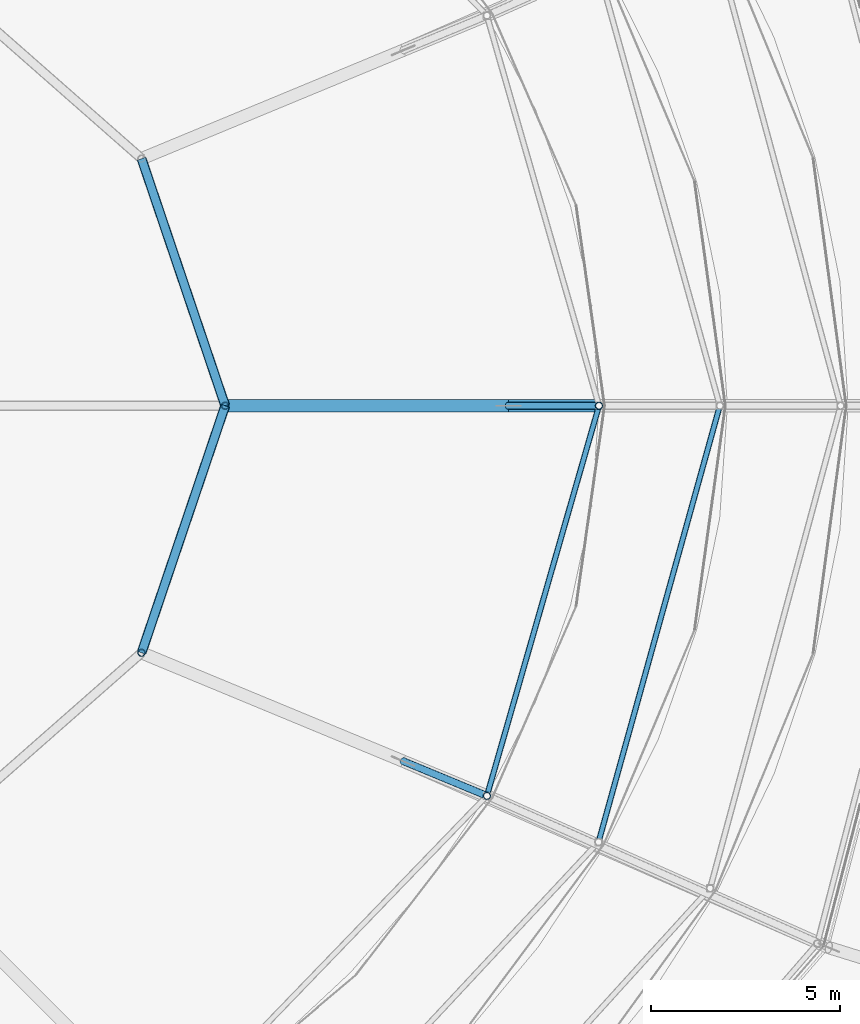
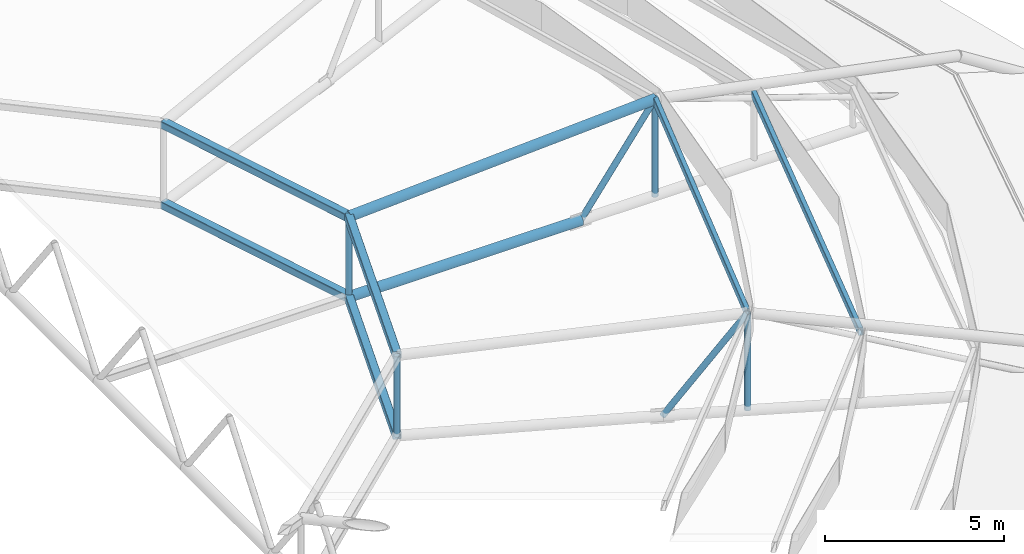
# One storey, part 35 of 134: 12 members, 2 beams.
"""IFC4 building model written with IfcOpenShell, lengths in metres."""

from ifc_helpers import new_model, si_unit, derived_unit, direction, frame, origin, origin_2d, place, context, subcontext, project, spatial, hollow_rectangle, hollow_circle, extrude, material, material_profile, profile_set, type_object, element, save


model = new_model("IFC4")

# Units and contexts
model_context = context("Model", 3, precision=1e-05, world=origin(), true_north=direction((0.0, 1.0)))
body_context = subcontext(model_context, "Body", "Model", "MODEL_VIEW")
ifc_project = project(units=[si_unit("LENGTHUNIT", "METRE"), si_unit("AREAUNIT", "SQUARE_METRE"), si_unit("VOLUMEUNIT", "CUBIC_METRE"), si_unit("PLANEANGLEUNIT", "RADIAN"), si_unit("MASSUNIT", "GRAM", prefix="KILO"), derived_unit("THERMALTRANSMITTANCEUNIT", [(si_unit("MASSUNIT", "GRAM", prefix="KILO"), 1), (si_unit("TIMEUNIT", "SECOND"), -3), (si_unit("THERMODYNAMICTEMPERATUREUNIT", "KELVIN"), -1)])], contexts=[model_context])

# Site, building, storey
site_placement = place(None, origin())
site = spatial("IfcSite", under=ifc_project, at=site_placement, CompositionType="ELEMENT")
building_placement = place(site_placement, origin())
building = spatial("IfcBuilding", under=site, at=building_placement, Name="Kharveza Railside Sports Centre", CompositionType="ELEMENT")
storey_placement = place(building_placement, frame((0.0, 0.0, 12.89990234375)))
storey = spatial("IfcBuildingStorey", under=building, at=storey_placement, Name="L03", CompositionType="ELEMENT", Elevation=12.89990234375)

# Beams
ifc_material = material(Name="Steel S355J2", Category="steel")
ifc_material_profile_1 = material_profile(ifc_material, hollow_rectangle(XDim=0.14990234375, YDim=0.25, WallThickness=0.010009765625, InnerFilletRadius=0.010009765625, OuterFilletRadius=0.02001953125, at=origin_2d()), Name="RHS 150x250x10.0")
ifc_profile_set_1 = profile_set([ifc_material_profile_1], Name="Steel S355J2")
beam_type = type_object("IfcBeamType", Name="BM-SP04", PredefinedType="SPANDREL", material=ifc_profile_set_1)
beam_1_placement = place(storey_placement, frame((93.587646484375, 38.843017578125, 2.30517578125), z_axis=(0.267810769771, 0.963471531284, 0.0), x_axis=(-0.963471531284, 0.267810769771, 0.0)))
element("IfcBeam", 1, at=beam_1_placement, inside=storey, type_object=beam_type, Name="BM-LIDRING-S3-16", PredefinedType="SPANDREL", context=body_context, shape_type="SweptSolid", body=[
    extrude(hollow_rectangle(XDim=0.14990234375, YDim=0.25, WallThickness=0.010009765625, InnerFilletRadius=0.010009765625, OuterFilletRadius=0.02001953125, at=origin_2d()), origin(), (0.0, 0.0, 1.0), 11.9951171875),
])
beam_2_placement = place(storey_placement, frame((90.63134765625, 40.067626953125, 3.255126953125), z_axis=(0.276154556892, 0.961113240314, 0.0), x_axis=(-0.961113240314, 0.276154556892, 0.0)))
element("IfcBeam", 2, at=beam_2_placement, inside=storey, type_object=beam_type, Name="BM-LIDRING-S4-16", PredefinedType="SPANDREL", context=body_context, shape_type="SweptSolid", body=[
    extrude(hollow_rectangle(XDim=0.14990234375, YDim=0.25, WallThickness=0.010009765625, InnerFilletRadius=0.010009765625, OuterFilletRadius=0.02001953125, at=origin_2d()), origin(), (0.0, 0.0, 1.0), 10.750244140625),
])

# Members
ifc_material_profile_2 = material_profile(ifc_material, hollow_circle(Radius=0.161865234375, WallThickness=0.01611328125, at=origin_2d()), Name="CHS 323.9x16.0")
ifc_profile_set_2 = profile_set([ifc_material_profile_2], Name="Steel S355J2")
member_type_1 = type_object("IfcMemberType", Name="MB-CH02", PredefinedType="CHORD", material=ifc_profile_set_2)
member_1_placement = place(storey_placement, frame((83.699951171875, 50.39990234375, -0.0498046875), z_axis=(1.0, 0.0, 0.0), x_axis=(0.0, 1.0, 0.0)))
element("IfcMember", 3, at=member_1_placement, inside=storey, type_object=member_type_1, Name="MB-OUT-BC1-01", PredefinedType="CHORD", context=body_context, shape_type="SweptSolid", body=[
    extrude(hollow_circle(Radius=0.161865234375, WallThickness=0.01611328125, at=origin_2d()), origin(), (0.0, 0.0, 1.0), 7.5),
])
member_2_placement = place(storey_placement, frame((83.699951171875, 50.39990234375, 2.7001953125), z_axis=(0.998461489413, 0.0, 0.055449564108), x_axis=(0.0, 1.0, 0.0)))
element("IfcMember", 4, at=member_2_placement, inside=storey, type_object=member_type_1, Name="MB-OUT-TC1-01", PredefinedType="CHORD", context=body_context, shape_type="SweptSolid", body=[
    extrude(hollow_circle(Radius=0.161865234375, WallThickness=0.01611328125, at=origin_2d()), origin(), (0.0, 0.0, 1.0), 9.915283203125),
])
ifc_material_profile_3 = material_profile(ifc_material, hollow_rectangle(XDim=0.25, YDim=0.25, WallThickness=0.012451171875, InnerFilletRadius=0.012451171875, OuterFilletRadius=0.02490234375, at=origin_2d()), Name="SHS 250x250x12.5")
ifc_profile_set_3 = profile_set([ifc_material_profile_3], Name="Steel S355J2")
member_type_2 = type_object("IfcMemberType", Name="MB-CH05", PredefinedType="CHORD", material=ifc_profile_set_3)
for number, where, z_axis, x_axis, name in (
    (5, (83.699951171875, 50.39990234375, -0.0498046875), (-0.320623978008, 0.947206558638, 0.0), (-0.947206558638, -0.320623978008, 0.0), "MB-INRING-BOT-01"),
    (6, (83.699951171875, 50.39990234375, 2.7001953125), (-0.320623978008, 0.947206558638, 0.0), (-0.947206558638, -0.320623978008, 0.0), "MB-INRING-TOP-01"),
):
    element("IfcMember", number, at=place(storey_placement, frame(where, z_axis=z_axis, x_axis=x_axis)), inside=storey, type_object=member_type_2, Name=name, PredefinedType="CHORD", context=body_context, shape_type="SweptSolid", body=[
        extrude(hollow_rectangle(XDim=0.25, YDim=0.25, WallThickness=0.012451171875, InnerFilletRadius=0.012451171875, OuterFilletRadius=0.02490234375, at=origin_2d()), origin(), (0.0, 0.0, 1.0), 6.90869140625),
    ])
for number, where, z_axis, x_axis, name in (
    (7, (81.48486328125, 43.856201171875, -0.0498046875), (0.320634710473, 0.947202925692, 0.0), (-0.947202925692, 0.320634710473, 0.0), "MB-INRING-BOT-16"),
    (8, (81.48486328125, 43.856201171875, 2.7001953125), (0.320634710473, 0.947202925692, 0.0), (-0.947202925692, 0.320634710473, 0.0), "MB-INRING-TOP-16"),
):
    element("IfcMember", number, at=place(storey_placement, frame(where, z_axis=z_axis, x_axis=x_axis)), inside=storey, type_object=member_type_2, Name=name, PredefinedType="CHORD", context=body_context, shape_type="SweptSolid", body=[
        extrude(hollow_rectangle(XDim=0.25, YDim=0.25, WallThickness=0.012451171875, InnerFilletRadius=0.012451171875, OuterFilletRadius=0.02490234375, at=origin_2d()), origin(), (0.0, 0.0, 1.0), 6.908447265625),
    ])
ifc_material_profile_4 = material_profile(ifc_material, hollow_circle(Radius=0.096923828125, WallThickness=0.010009765625, at=origin_2d()), Name="CHS 193.7x10.0")
ifc_profile_set_4 = profile_set([ifc_material_profile_4], Name="Steel S355J2")
member_type_3 = type_object("IfcMemberType", Name="MB-ST02", PredefinedType="STRUT", material=ifc_profile_set_4)
for number, where, z_axis, x_axis, name in (
    (9, (93.60009765625, 50.39990234375, -0.0498046875), (0.0, 0.0, 1.0), (1.0, 0.0, 0.0), "MB-LIDPOST-S4-01"),
    (10, (90.63134765625, 40.067626953125, -0.0498046875), (0.0, 0.0, 1.0), (1.0, 0.0, 0.0), "MB-LIDPOST-S4-16"),
):
    element("IfcMember", number, at=place(storey_placement, frame(where, z_axis=z_axis, x_axis=x_axis)), inside=storey, type_object=member_type_3, Name=name, PredefinedType="STRUT", context=body_context, shape_type="SweptSolid", body=[
        extrude(hollow_circle(Radius=0.096923828125, WallThickness=0.010009765625, at=origin_2d()), origin(), (0.0, 0.0, 1.0), 3.304931640625),
    ])
member_3_placement = place(storey_placement, frame((83.699951171875, 50.39990234375, -0.0498046875), z_axis=(0.0, 0.0, 1.0), x_axis=(1.0, 0.0, 0.0)))
element("IfcMember", 11, at=member_3_placement, inside=storey, type_object=member_type_3, Name="MB-OUT-WEB-01-1", PredefinedType="STRUT", context=body_context, shape_type="SweptSolid", body=[
    extrude(hollow_circle(Radius=0.096923828125, WallThickness=0.010009765625, at=origin_2d()), origin(), (0.0, 0.0, 1.0), 2.75),
])
member_4_placement = place(storey_placement, frame((91.199951171875, 50.39990234375, -0.0498046875), z_axis=(0.588217945983, 0.0, 0.808702447148), x_axis=(0.0, 1.0, 0.0)))
element("IfcMember", 12, at=member_4_placement, inside=storey, type_object=member_type_3, Name="MB-OUT-WEB-01-2", PredefinedType="STRUT", context=body_context, shape_type="SweptSolid", body=[
    extrude(hollow_circle(Radius=0.096923828125, WallThickness=0.010009765625, at=origin_2d()), origin(), (0.0, 0.0, 1.0), 4.080322265625),
])
member_5_placement = place(storey_placement, frame((81.48486328125, 43.856201171875, -0.0498046875), z_axis=(0.0, 0.0, 1.0), x_axis=(1.0, 0.0, 0.0)))
element("IfcMember", 13, at=member_5_placement, inside=storey, type_object=member_type_3, Name="MB-OUT-WEB-16-1", PredefinedType="STRUT", context=body_context, shape_type="SweptSolid", body=[
    extrude(hollow_circle(Radius=0.096923828125, WallThickness=0.010009765625, at=origin_2d()), origin(), (0.0, 0.0, 1.0), 2.75),
])
member_6_placement = place(storey_placement, frame((88.4140625, 40.986083984375, -0.0498046875), z_axis=(0.543408563364, -0.225153757315, 0.808710652106), x_axis=(0.382780016916, 0.923839519965, 0.0)))
element("IfcMember", 14, at=member_6_placement, inside=storey, type_object=member_type_3, Name="MB-OUT-WEB-16-2", PredefinedType="STRUT", context=body_context, shape_type="SweptSolid", body=[
    extrude(hollow_circle(Radius=0.096923828125, WallThickness=0.010009765625, at=origin_2d()), origin(), (0.0, 0.0, 1.0), 4.080322265625),
])

save(model, "model.ifc")
